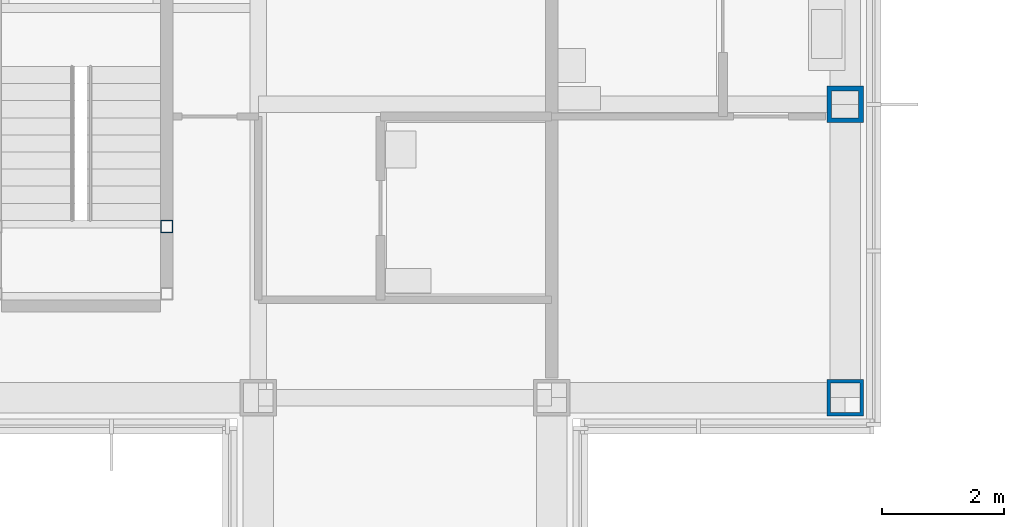
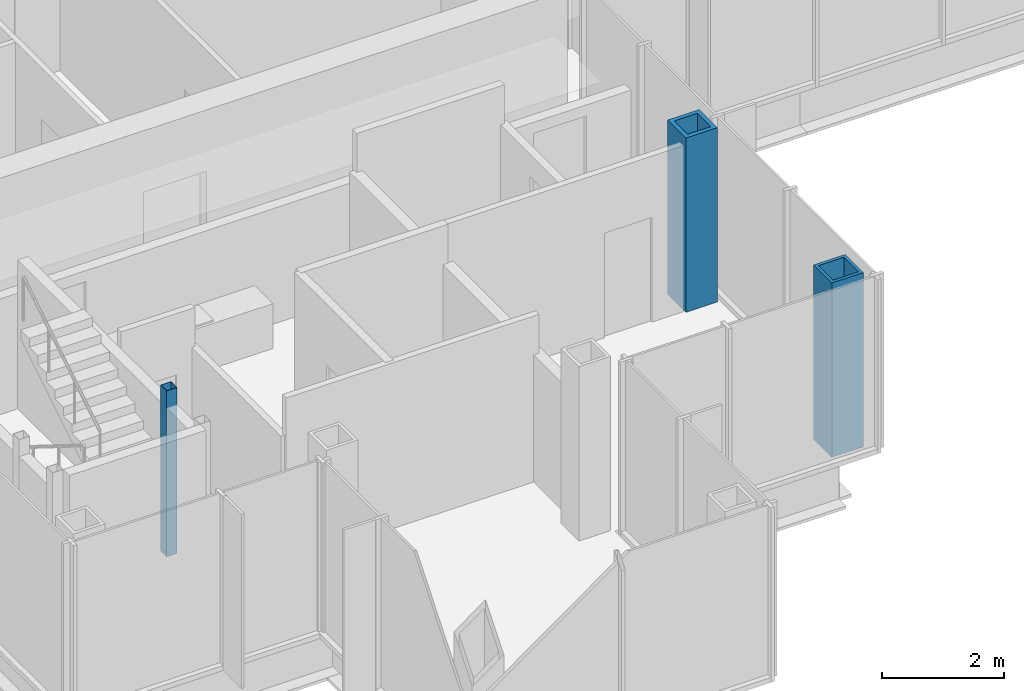
# One storey, part 2 of 17: 3 columns.
"""IFC4 building model written with IfcOpenShell, lengths in metres."""

from ifc_helpers import new_model, si_unit, direction, frame, origin, origin_2d, place, context, subcontext, project, spatial, hollow_rectangle, extrude, material, material_profile, profile_set, type_object, element, save


model = new_model("IFC4")

# Units and contexts
model_context = context("Model", 3, precision=1e-05, world=origin(), true_north=direction((0.0, 1.0)))
body_context = subcontext(model_context, "Body", "Model", "MODEL_VIEW")
ifc_project = project(units=[si_unit("LENGTHUNIT", "METRE"), si_unit("AREAUNIT", "SQUARE_METRE"), si_unit("VOLUMEUNIT", "CUBIC_METRE"), si_unit("PLANEANGLEUNIT", "RADIAN"), si_unit("MASSUNIT", "GRAM", prefix="KILO")], contexts=[model_context])

# Site, building, storey
site_placement = place(None, origin())
site = spatial("IfcSite", under=ifc_project, at=site_placement, CompositionType="ELEMENT")
building_placement = place(site_placement, origin())
building = spatial("IfcBuilding", under=site, at=building_placement, Name="Kvirike Care Tower", CompositionType="ELEMENT")
storey_placement = place(building_placement, frame((0.0, 0.0, 162.0)))
storey = spatial("IfcBuildingStorey", under=building, at=storey_placement, Name="L44", CompositionType="ELEMENT", Elevation=162.0)

# Columns
ifc_material_1 = material(Name="Steel S460", Category="steel")
ifc_material_profile_1 = material_profile(ifc_material_1, hollow_rectangle(XDim=0.60009765625, YDim=0.60009765625, WallThickness=0.06005859375, at=origin_2d()), Name="BX 600x600x60")
ifc_profile_set_1 = profile_set([ifc_material_profile_1], Name="Steel S460")
column_type_1 = type_object("IfcColumnType", Name="COLUMN BX 600x600x60", PredefinedType="COLUMN", material=ifc_profile_set_1)
column_1_placement = place(storey_placement, frame((28.800048828125, 19.199951171875, 0.0), z_axis=(0.0, 0.0, 1.0), x_axis=(0.0, 1.0, 0.0)))
element("IfcColumn", 1, at=column_1_placement, inside=storey, type_object=column_type_1, Name="Column E9 L44", PredefinedType="COLUMN", context=body_context, shape_type="SweptSolid", body=[
    extrude(hollow_rectangle(XDim=0.60009765625, YDim=0.60009765625, WallThickness=0.06005859375, at=origin_2d()), origin(), (0.0, 0.0, 1.0), 3.5),
])
ifc_material_2 = material(Name="Steel S460", Category="steel")
ifc_material_profile_2 = material_profile(ifc_material_2, hollow_rectangle(XDim=0.60009765625, YDim=0.60009765625, WallThickness=0.080078125, at=origin_2d()), Name="BX 600x600x80")
ifc_profile_set_2 = profile_set([ifc_material_profile_2], Name="Steel S460")
column_type_2 = type_object("IfcColumnType", Name="COLUMN BX 600x600x80", PredefinedType="COLUMN", material=ifc_profile_set_2)
column_2_placement = place(storey_placement, frame((28.800048828125, 24.0, 0.0), z_axis=(0.0, 0.0, 1.0), x_axis=(1.0, 0.0, 0.0)))
element("IfcColumn", 2, at=column_2_placement, inside=storey, type_object=column_type_2, Name="Column F9 L44", PredefinedType="COLUMN", context=body_context, shape_type="SweptSolid", body=[
    extrude(hollow_rectangle(XDim=0.60009765625, YDim=0.60009765625, WallThickness=0.080078125, at=origin_2d()), origin(), (0.0, 0.0, 1.0), 3.5),
])
ifc_material_3 = material(Name="Steel S460", Category="steel")
ifc_material_profile_3 = material_profile(ifc_material_3, hollow_rectangle(XDim=0.199951171875, YDim=0.199951171875, WallThickness=0.008056640625, at=origin_2d()), Name="SHS 200x200x8")
ifc_profile_set_3 = profile_set([ifc_material_profile_3], Name="Steel S460")
column_type_3 = type_object("IfcColumnType", Name="STAIR POST SHS 200x200x8", PredefinedType="COLUMN", material=ifc_profile_set_3)
column_3_placement = place(storey_placement, frame((17.699951171875, 22.0, 0.0), z_axis=(0.0, 0.0, 1.0), x_axis=(1.0, 0.0, 0.0)))
element("IfcColumn", 3, at=column_3_placement, inside=storey, type_object=column_type_3, Name="Stair 5 post 4 L44", PredefinedType="COLUMN", context=body_context, shape_type="SweptSolid", body=[
    extrude(hollow_rectangle(XDim=0.199951171875, YDim=0.199951171875, WallThickness=0.008056640625, at=origin_2d()), origin(), (0.0, 0.0, 1.0), 3.330078125),
])

save(model, "model.ifc")
